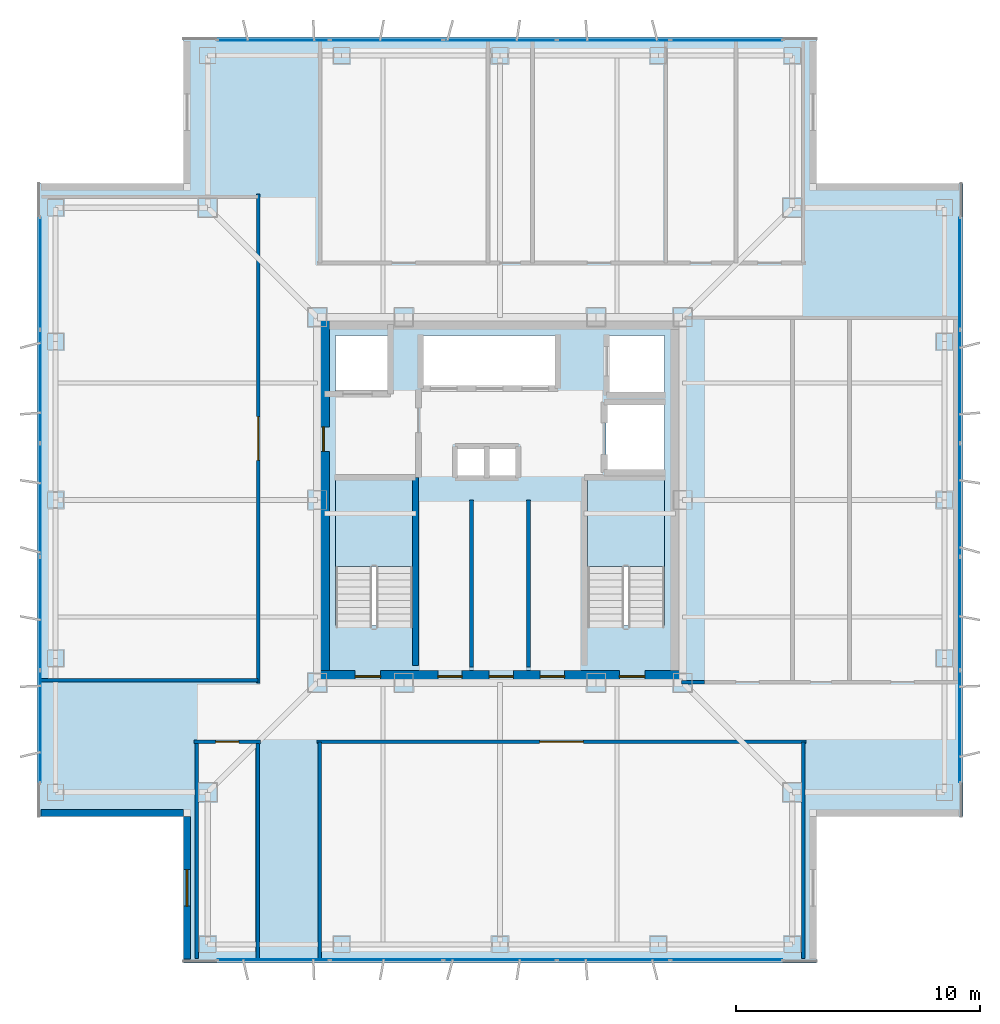
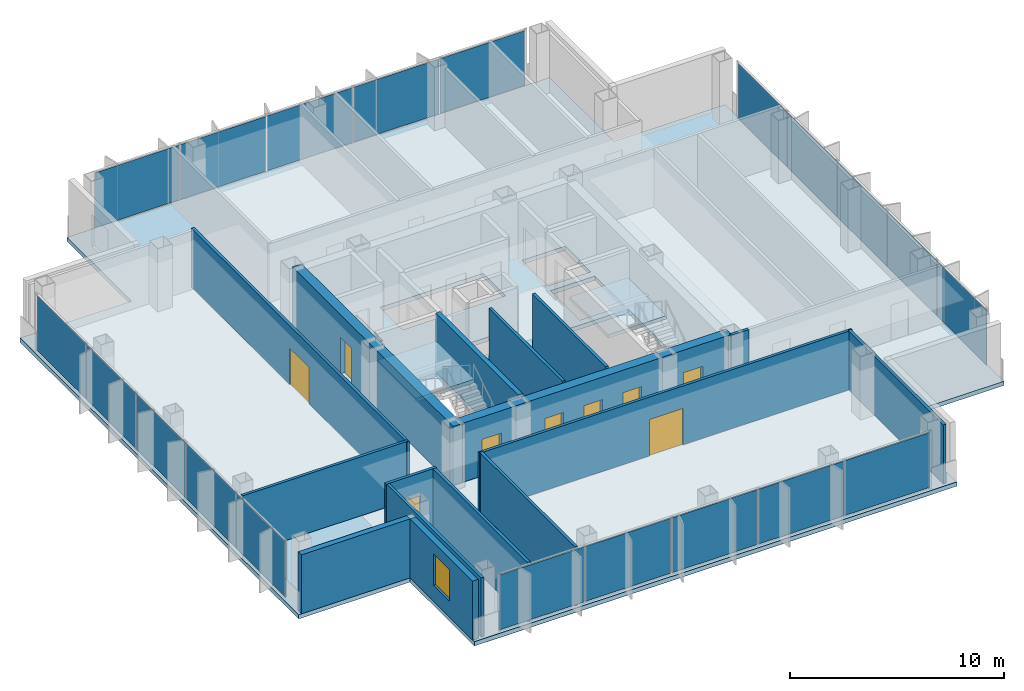
# One storey, part 7 of 15: 20 plates, 16 walls, 9 doors, 3 slabs, 1 window, 10 openings, 6 elements without a shape of their own.
"""IFC4 building model written with IfcOpenShell, lengths in metres."""

import ifcopenshell
import ifcopenshell.guid

model = None  # the IFC model being written
_history = None  # IfcOwnerHistory: only IFC2X3 demands one
_inside = {}  # id of a spatial element -> (the spatial element, [elements in it])
_under = {}  # id of a project, library or spatial element -> (it, [spatial elements below it])
_declared = {}  # id of a project -> (the project, [libraries it declares])
_typed = {}  # id of a type object -> (the type object, [elements of that type])
_made_of = {}  # id of a material, layer set ... -> (it, [elements and type objects made of it])


def new_model(schema):
    """Start an empty IFC model of exactly this schema.

    Asked for "IFC4X3", IfcOpenShell would pick the latest addendum, in which some entities
    have other attributes; the version numbers below select the first issue.
    IFC2X3 requires an IfcOwnerHistory on every rooted entity: one is made here for all.
    """
    global model, _history
    if schema == "IFC4X3":
        model = ifcopenshell.file(schema_version=(4, 3, 0, 0))
    else:
        model = ifcopenshell.file(schema=schema)
    _inside.clear()
    _under.clear()
    _declared.clear()
    _typed.clear()
    _made_of.clear()
    _history = None
    if model.schema == "IFC2X3":
        org = make("IfcOrganization", Name="unknown")
        user = make(
            "IfcPersonAndOrganization",
            ThePerson=make("IfcPerson", FamilyName="unknown"),
            TheOrganization=org,
        )
        app = make(
            "IfcApplication",
            ApplicationDeveloper=org,
            Version="unknown",
            ApplicationFullName="unknown",
            ApplicationIdentifier="unknown",
        )
        _history = make(
            "IfcOwnerHistory",
            OwningUser=user,
            OwningApplication=app,
            ChangeAction="ADDED",
            CreationDate=0,
        )
    return model


def make(cls, **values):
    """One entity of the class cls with the attributes given. An attribute that is None is left unset."""
    return model.create_entity(
        cls, **{name: value for name, value in values.items() if value is not None}
    )


def rooted(cls, **values):
    """An entity with a GlobalId (a new one), such as an element, a storey or a relation."""
    return make(cls, GlobalId=ifcopenshell.guid.new(), OwnerHistory=_history, **values)


def si_unit(unit_type, name, prefix=None):
    """IfcSIUnit, for example si_unit("LENGTHUNIT", "METRE", prefix="MILLI")."""
    return make("IfcSIUnit", UnitType=unit_type, Prefix=prefix, Name=name)


def assignment(units):
    """IfcUnitAssignment: the units of a project."""
    return None if units is None else make("IfcUnitAssignment", Units=units)


def point(xyz):
    """IfcCartesianPoint."""
    return None if xyz is None else make("IfcCartesianPoint", Coordinates=xyz)


def direction(xyz):
    """IfcDirection."""
    return None if xyz is None else make("IfcDirection", DirectionRatios=xyz)


def frame(location, z_axis=None, x_axis=None):
    """IfcAxis2Placement3D, a coordinate frame: its origin and axes. An axis left out is left unset."""
    return make(
        "IfcAxis2Placement3D",
        Location=point(location),
        Axis=direction(z_axis),
        RefDirection=direction(x_axis),
    )


def frame_2d(location, x_axis=None):
    """IfcAxis2Placement2D, a coordinate frame in the plane: its origin and x axis."""
    return make(
        "IfcAxis2Placement2D", Location=point(location), RefDirection=direction(x_axis)
    )


def origin():
    """The frame at (0, 0, 0) with its axes left unset."""
    return frame((0.0, 0.0, 0.0))


def origin_2d():
    """The frame at (0, 0) in the plane with its x axis left unset."""
    return frame_2d((0.0, 0.0))


def place(relative_to, where):
    """IfcLocalPlacement: puts the frame where relative to a parent placement (None: the world)."""
    return make(
        "IfcLocalPlacement", PlacementRelTo=relative_to, RelativePlacement=where
    )


def context(
    kind, dimensions, precision=None, world=None, true_north=None, identifier=None
):
    """IfcGeometricRepresentationContext, for example the 3D "Model" context."""
    return make(
        "IfcGeometricRepresentationContext",
        ContextIdentifier=identifier,
        ContextType=kind,
        CoordinateSpaceDimension=dimensions,
        Precision=precision,
        WorldCoordinateSystem=world,
        TrueNorth=true_north,
    )


def subcontext(parent, identifier, kind, view, scale=None):
    """IfcGeometricRepresentationSubContext, for example "Body" below "Model"."""
    return make(
        "IfcGeometricRepresentationSubContext",
        ContextIdentifier=identifier,
        ContextType=kind,
        ParentContext=parent,
        TargetScale=scale,
        TargetView=view,
    )


def project(units=None, contexts=None):
    """IfcProject with its units and contexts."""
    return rooted(
        "IfcProject",
        Name="project",
        RepresentationContexts=contexts,
        UnitsInContext=assignment(units),
    )


def spatial(cls, under=None, at=None, **own):
    """A site, building, storey or space (cls), placed at a placement, below another one or the project."""
    s = rooted(cls, ObjectPlacement=at, **own)
    if under is not None:
        _under.setdefault(under.id(), (under, []))[1].append(s)
    return s


def polyline(points):
    """IfcPolyline through the points."""
    return make("IfcPolyline", Points=[point(p) for p in points])


def profile(cls, at=None, kind="AREA", **sizes):
    """A parametric profile (cls). Its sizes go by their IFC names, for example OverallWidth=200.0."""
    return make(cls, ProfileType=kind, Position=at, **sizes)


def rectangle(**sizes):
    """IfcRectangleProfileDef."""
    return profile("IfcRectangleProfileDef", **sizes)


def outline(outer, holes=None, kind="AREA"):
    """IfcArbitraryClosedProfileDef: a profile drawn as a closed curve; with holes, ...WithVoids."""
    if holes is None:
        return make("IfcArbitraryClosedProfileDef", ProfileType=kind, OuterCurve=outer)
    return make(
        "IfcArbitraryProfileDefWithVoids",
        ProfileType=kind,
        OuterCurve=outer,
        InnerCurves=holes,
    )


def extrude(swept, where, along, depth):
    """IfcExtrudedAreaSolid: the profile swept, set in the frame where, extruded along a direction by depth."""
    return make(
        "IfcExtrudedAreaSolid",
        SweptArea=swept,
        Position=where,
        ExtrudedDirection=direction(along),
        Depth=depth,
    )


def shape(context_of_items, identifier, shape_type, items):
    """IfcShapeRepresentation: the items that make up one representation, for example the "Body"."""
    return make(
        "IfcShapeRepresentation",
        ContextOfItems=context_of_items,
        RepresentationIdentifier=identifier,
        RepresentationType=shape_type,
        Items=items,
    )


def material(Name=None, Category=None):
    """IfcMaterial."""
    return make("IfcMaterial", Name=Name, Category=Category)


def layer(
    of_material, thickness, ventilated=None, Name=None, Category=None, Priority=None
):
    """IfcMaterialLayer: one layer of a wall or slab, of a material (None: an air gap)."""
    return make(
        "IfcMaterialLayer",
        Material=of_material,
        LayerThickness=thickness,
        IsVentilated=ventilated,
        Name=Name,
        Category=Category,
        Priority=Priority,
    )


def layer_set(layers, Name=None):
    """IfcMaterialLayerSet."""
    return make("IfcMaterialLayerSet", MaterialLayers=layers, LayerSetName=Name)


def made_of(thing, what):
    """Note that an element or type object is made of a material, layer set ...; save() writes the relation."""
    if what is not None:
        _made_of.setdefault(what.id(), (what, []))[1].append(thing)
    return thing


def type_object(cls, material=None, **own):
    """A type object (cls), such as IfcWallType, which elements share."""
    return made_of(rooted(cls, **own), material)


def element(
    cls,
    number,
    at=None,
    inside=None,
    cuts=None,
    type_object=None,
    material=None,
    context=None,
    identifier="Body",
    shape_type=None,
    held_by="IfcProductDefinitionShape",
    body=None,
    shapes=None,
    **own,
):
    """One element of the class cls, such as IfcWall. Its Tag is "e" and its number.

    at: its placement. inside: the storey or other place that contains it. cuts: it is an
    opening in that element (IfcRelVoidsElement). A single representation is given by context,
    identifier, shape_type and body (its items); several are given by shapes. held_by: the class
    of the entity that holds the representations. save() writes the other relations.
    """
    e = rooted(cls, Tag="e%d" % number, ObjectPlacement=at, **own)
    if body is not None:
        shapes = [shape(context, identifier, shape_type, body)]
    if shapes is not None:
        e.Representation = make(held_by, Representations=shapes)
    if inside is not None:
        _inside.setdefault(inside.id(), (inside, []))[1].append(e)
    if cuts is not None:
        rooted(
            "IfcRelVoidsElement", RelatingBuildingElement=cuts, RelatedOpeningElement=e
        )
    if type_object is not None:
        _typed.setdefault(type_object.id(), (type_object, []))[1].append(e)
    return made_of(e, material)


def fill(opening, filler):
    """IfcRelFillsElement: the door or window that sits in an opening."""
    return rooted(
        "IfcRelFillsElement",
        RelatingOpeningElement=opening,
        RelatedBuildingElement=filler,
    )


def aggregate(whole, parts):
    """IfcRelAggregates: a whole, such as a stair, and the parts it consists of."""
    return rooted("IfcRelAggregates", RelatingObject=whole, RelatedObjects=parts)


def save(model, path):
    """Write the relations noted so far, then the file.

    IfcRelAggregates (storeys below a building ...), IfcRelContainedInSpatialStructure (elements
    in a storey), IfcRelDefinesByType, IfcRelAssociatesMaterial and IfcRelDeclares: one each for
    every whole, place, type object, material and project.
    """
    for whole, parts in _under.values():
        aggregate(whole, parts)
    for where, things in _inside.values():
        rooted(
            "IfcRelContainedInSpatialStructure",
            RelatedElements=things,
            RelatingStructure=where,
        )
    for kind, things in _typed.values():
        rooted("IfcRelDefinesByType", RelatedObjects=things, RelatingType=kind)
    for what, things in _made_of.values():
        rooted("IfcRelAssociatesMaterial", RelatedObjects=things, RelatingMaterial=what)
    for by, libraries in _declared.values():
        rooted("IfcRelDeclares", RelatingContext=by, RelatedDefinitions=libraries)
    model.write(path)


model = new_model("IFC4")

# Units and contexts
model_context = context("Model", 3, precision=1e-05, world=origin(), true_north=direction((0.0, 1.0)))
body_context = subcontext(model_context, "Body", "Model", "MODEL_VIEW")
ifc_project = project(units=[si_unit("LENGTHUNIT", "METRE"), si_unit("AREAUNIT", "SQUARE_METRE"), si_unit("VOLUMEUNIT", "CUBIC_METRE"), si_unit("PLANEANGLEUNIT", "RADIAN"), si_unit("MASSUNIT", "GRAM", prefix="KILO")], contexts=[model_context])

# Site, building, storey
site_placement = place(None, origin())
site = spatial("IfcSite", under=ifc_project, at=site_placement, CompositionType="ELEMENT")
building_placement = place(site_placement, origin())
building = spatial("IfcBuilding", under=site, at=building_placement, Name="Trevonay Congress Spire", CompositionType="ELEMENT")
storey_placement = place(building_placement, frame((0.0, 0.0, 250.39990234375)))
storey = spatial("IfcBuildingStorey", under=building, at=storey_placement, Name="L65", CompositionType="ELEMENT", Elevation=250.39990234375)

# Curtain wall, plates
ifc_material_1 = material(Name="Pale Anodised Aluminium EN AW-6063-T6", Category="aluminium")
ifc_layer_1 = layer(ifc_material_1, 0.1650390625, Name="Pale Anodised Aluminium EN AW-6063-T6")
ifc_layer_set_1 = layer_set([ifc_layer_1], Name="Pale Anodised Aluminium EN AW-6063-T6")
curtain_wall_type = type_object("IfcCurtainWallType", Name="CW-SYS05-DIPLOM-PALE-METAL", PredefinedType="NOTDEFINED", material=ifc_layer_set_1)
curtain_wall_1_placement = place(storey_placement, origin())
curtain_wall_1 = element("IfcCurtainWall", 1, at=curtain_wall_1_placement, inside=storey, type_object=curtain_wall_type, Name="L65 S unitised curtain wall", PredefinedType="NOTDEFINED")
ifc_material_2 = material(Name="Insulated Low-E Vision Glass IGU", Category="glass")
ifc_layer_2 = layer(ifc_material_2, 0.035888671875, Name="Insulated Low-E Vision Glass IGU")
ifc_layer_set_2 = layer_set([ifc_layer_2], Name="Insulated Low-E Vision Glass IGU")
plate_type = type_object("IfcPlateType", Name="CW-PANEL-IGU36-SILVER", PredefinedType="CURTAIN_PANEL", material=ifc_layer_set_2)
plate_1_placement = place(storey_placement, frame((-9.304931640625, -18.8798828125, 0.1201171875), z_axis=(0.0, 0.0, 1.0), x_axis=(1.0, 0.0, 0.0)))
plate_1 = element("IfcPlate", 2, at=plate_1_placement, type_object=plate_type, Name="CW05 panel 1.1", PredefinedType="CURTAIN_PANEL", context=body_context, shape_type="SweptSolid", body=[
    extrude(rectangle(XDim=4.570068359375, YDim=0.035888671875, at=origin_2d()), origin(), (0.0, 0.0, 1.0), 3.1201171875),
])
plate_2_placement = place(storey_placement, frame((-4.659912109375, -18.8798828125, 0.1201171875), z_axis=(0.0, 0.0, 1.0), x_axis=(1.0, 0.0, 0.0)))
plate_2 = element("IfcPlate", 3, at=plate_2_placement, type_object=plate_type, Name="CW05 panel 2.1", PredefinedType="CURTAIN_PANEL", context=body_context, shape_type="SweptSolid", body=[
    extrude(rectangle(XDim=4.60009765625, YDim=0.035888671875, at=origin_2d()), origin(), (0.0, 0.0, 1.0), 3.1201171875),
])
plate_3_placement = place(storey_placement, frame((0.0, -18.8798828125, 0.1201171875), z_axis=(0.0, 0.0, 1.0), x_axis=(1.0, 0.0, 0.0)))
plate_3 = element("IfcPlate", 4, at=plate_3_placement, type_object=plate_type, Name="CW05 panel 3.1", PredefinedType="CURTAIN_PANEL", context=body_context, shape_type="SweptSolid", body=[
    extrude(rectangle(XDim=4.60009765625, YDim=0.035888671875, at=origin_2d()), origin(), (0.0, 0.0, 1.0), 3.1201171875),
])
plate_4_placement = place(storey_placement, frame((4.659912109375, -18.8798828125, 0.1201171875), z_axis=(0.0, 0.0, 1.0), x_axis=(1.0, 0.0, 0.0)))
plate_4 = element("IfcPlate", 5, at=plate_4_placement, type_object=plate_type, Name="CW05 panel 4.1", PredefinedType="CURTAIN_PANEL", context=body_context, shape_type="SweptSolid", body=[
    extrude(rectangle(XDim=4.60009765625, YDim=0.035888671875, at=origin_2d()), origin(), (0.0, 0.0, 1.0), 3.1201171875),
])
plate_5_placement = place(storey_placement, frame((9.304931640625, -18.8798828125, 0.1201171875), z_axis=(0.0, 0.0, 1.0), x_axis=(1.0, 0.0, 0.0)))
plate_5 = element("IfcPlate", 6, at=plate_5_placement, type_object=plate_type, Name="CW05 panel 5.1", PredefinedType="CURTAIN_PANEL", context=body_context, shape_type="SweptSolid", body=[
    extrude(rectangle(XDim=4.570068359375, YDim=0.035888671875, at=origin_2d()), origin(), (0.0, 0.0, 1.0), 3.1201171875),
])
aggregate(curtain_wall_1, [plate_1, plate_2, plate_3, plate_4, plate_5])

curtain_wall_2_placement = place(storey_placement, origin())
curtain_wall_2 = element("IfcCurtainWall", 7, at=curtain_wall_2_placement, inside=storey, type_object=curtain_wall_type, Name="L65 N unitised curtain wall", PredefinedType="NOTDEFINED")
plate_6_placement = place(storey_placement, frame((-9.304931640625, 18.8798828125, 0.1201171875), z_axis=(0.0, 0.0, 1.0), x_axis=(1.0, 0.0, 0.0)))
plate_6 = element("IfcPlate", 8, at=plate_6_placement, type_object=plate_type, Name="CW05 panel 1.1", PredefinedType="CURTAIN_PANEL", context=body_context, shape_type="SweptSolid", body=[
    extrude(rectangle(XDim=4.570068359375, YDim=0.035888671875, at=origin_2d()), origin(), (0.0, 0.0, 1.0), 3.1201171875),
])
plate_7_placement = place(storey_placement, frame((-4.659912109375, 18.8798828125, 0.1201171875), z_axis=(0.0, 0.0, 1.0), x_axis=(1.0, 0.0, 0.0)))
plate_7 = element("IfcPlate", 9, at=plate_7_placement, type_object=plate_type, Name="CW05 panel 2.1", PredefinedType="CURTAIN_PANEL", context=body_context, shape_type="SweptSolid", body=[
    extrude(rectangle(XDim=4.60009765625, YDim=0.035888671875, at=origin_2d()), origin(), (0.0, 0.0, 1.0), 3.1201171875),
])
plate_8_placement = place(storey_placement, frame((0.0, 18.8798828125, 0.1201171875), z_axis=(0.0, 0.0, 1.0), x_axis=(1.0, 0.0, 0.0)))
plate_8 = element("IfcPlate", 10, at=plate_8_placement, type_object=plate_type, Name="CW05 panel 3.1", PredefinedType="CURTAIN_PANEL", context=body_context, shape_type="SweptSolid", body=[
    extrude(rectangle(XDim=4.60009765625, YDim=0.035888671875, at=origin_2d()), origin(), (0.0, 0.0, 1.0), 3.1201171875),
])
plate_9_placement = place(storey_placement, frame((4.659912109375, 18.8798828125, 0.1201171875), z_axis=(0.0, 0.0, 1.0), x_axis=(1.0, 0.0, 0.0)))
plate_9 = element("IfcPlate", 11, at=plate_9_placement, type_object=plate_type, Name="CW05 panel 4.1", PredefinedType="CURTAIN_PANEL", context=body_context, shape_type="SweptSolid", body=[
    extrude(rectangle(XDim=4.60009765625, YDim=0.035888671875, at=origin_2d()), origin(), (0.0, 0.0, 1.0), 3.1201171875),
])
plate_10_placement = place(storey_placement, frame((9.304931640625, 18.8798828125, 0.1201171875), z_axis=(0.0, 0.0, 1.0), x_axis=(1.0, 0.0, 0.0)))
plate_10 = element("IfcPlate", 12, at=plate_10_placement, type_object=plate_type, Name="CW05 panel 5.1", PredefinedType="CURTAIN_PANEL", context=body_context, shape_type="SweptSolid", body=[
    extrude(rectangle(XDim=4.570068359375, YDim=0.035888671875, at=origin_2d()), origin(), (0.0, 0.0, 1.0), 3.1201171875),
])
aggregate(curtain_wall_2, [plate_6, plate_7, plate_8, plate_9, plate_10])

curtain_wall_3_placement = place(storey_placement, origin())
curtain_wall_3 = element("IfcCurtainWall", 13, at=curtain_wall_3_placement, inside=storey, type_object=curtain_wall_type, Name="L65 W unitised curtain wall", PredefinedType="NOTDEFINED")
plate_11_placement = place(storey_placement, frame((-18.8798828125, -9.304931640625, 0.1201171875), z_axis=(0.0, 0.0, 1.0), x_axis=(0.0, 1.0, 0.0)))
plate_11 = element("IfcPlate", 14, at=plate_11_placement, type_object=plate_type, Name="CW05 panel 1.1", PredefinedType="CURTAIN_PANEL", context=body_context, shape_type="SweptSolid", body=[
    extrude(rectangle(XDim=4.570068359375, YDim=0.035888671875, at=origin_2d()), origin(), (0.0, 0.0, 1.0), 3.1201171875),
])
plate_12_placement = place(storey_placement, frame((-18.8798828125, -4.659912109375, 0.1201171875), z_axis=(0.0, 0.0, 1.0), x_axis=(0.0, 1.0, 0.0)))
plate_12 = element("IfcPlate", 15, at=plate_12_placement, type_object=plate_type, Name="CW05 panel 2.1", PredefinedType="CURTAIN_PANEL", context=body_context, shape_type="SweptSolid", body=[
    extrude(rectangle(XDim=4.60009765625, YDim=0.035888671875, at=origin_2d()), origin(), (0.0, 0.0, 1.0), 3.1201171875),
])
plate_13_placement = place(storey_placement, frame((-18.8798828125, 0.0, 0.1201171875), z_axis=(0.0, 0.0, 1.0), x_axis=(0.0, 1.0, 0.0)))
plate_13 = element("IfcPlate", 16, at=plate_13_placement, type_object=plate_type, Name="CW05 panel 3.1", PredefinedType="CURTAIN_PANEL", context=body_context, shape_type="SweptSolid", body=[
    extrude(rectangle(XDim=4.60009765625, YDim=0.035888671875, at=origin_2d()), origin(), (0.0, 0.0, 1.0), 3.1201171875),
])
plate_14_placement = place(storey_placement, frame((-18.8798828125, 4.659912109375, 0.1201171875), z_axis=(0.0, 0.0, 1.0), x_axis=(0.0, 1.0, 0.0)))
plate_14 = element("IfcPlate", 17, at=plate_14_placement, type_object=plate_type, Name="CW05 panel 4.1", PredefinedType="CURTAIN_PANEL", context=body_context, shape_type="SweptSolid", body=[
    extrude(rectangle(XDim=4.60009765625, YDim=0.035888671875, at=origin_2d()), origin(), (0.0, 0.0, 1.0), 3.1201171875),
])
plate_15_placement = place(storey_placement, frame((-18.8798828125, 9.304931640625, 0.1201171875), z_axis=(0.0, 0.0, 1.0), x_axis=(0.0, 1.0, 0.0)))
plate_15 = element("IfcPlate", 18, at=plate_15_placement, type_object=plate_type, Name="CW05 panel 5.1", PredefinedType="CURTAIN_PANEL", context=body_context, shape_type="SweptSolid", body=[
    extrude(rectangle(XDim=4.570068359375, YDim=0.035888671875, at=origin_2d()), origin(), (0.0, 0.0, 1.0), 3.1201171875),
])
aggregate(curtain_wall_3, [plate_11, plate_12, plate_13, plate_14, plate_15])

curtain_wall_4_placement = place(storey_placement, origin())
curtain_wall_4 = element("IfcCurtainWall", 19, at=curtain_wall_4_placement, inside=storey, type_object=curtain_wall_type, Name="L65 E unitised curtain wall", PredefinedType="NOTDEFINED")
plate_16_placement = place(storey_placement, frame((18.8798828125, -9.304931640625, 0.1201171875), z_axis=(0.0, 0.0, 1.0), x_axis=(0.0, 1.0, 0.0)))
plate_16 = element("IfcPlate", 20, at=plate_16_placement, type_object=plate_type, Name="CW05 panel 1.1", PredefinedType="CURTAIN_PANEL", context=body_context, shape_type="SweptSolid", body=[
    extrude(rectangle(XDim=4.570068359375, YDim=0.035888671875, at=origin_2d()), origin(), (0.0, 0.0, 1.0), 3.1201171875),
])
plate_17_placement = place(storey_placement, frame((18.8798828125, -4.659912109375, 0.1201171875), z_axis=(0.0, 0.0, 1.0), x_axis=(0.0, 1.0, 0.0)))
plate_17 = element("IfcPlate", 21, at=plate_17_placement, type_object=plate_type, Name="CW05 panel 2.1", PredefinedType="CURTAIN_PANEL", context=body_context, shape_type="SweptSolid", body=[
    extrude(rectangle(XDim=4.60009765625, YDim=0.035888671875, at=origin_2d()), origin(), (0.0, 0.0, 1.0), 3.1201171875),
])
plate_18_placement = place(storey_placement, frame((18.8798828125, 0.0, 0.1201171875), z_axis=(0.0, 0.0, 1.0), x_axis=(0.0, 1.0, 0.0)))
plate_18 = element("IfcPlate", 22, at=plate_18_placement, type_object=plate_type, Name="CW05 panel 3.1", PredefinedType="CURTAIN_PANEL", context=body_context, shape_type="SweptSolid", body=[
    extrude(rectangle(XDim=4.60009765625, YDim=0.035888671875, at=origin_2d()), origin(), (0.0, 0.0, 1.0), 3.1201171875),
])
plate_19_placement = place(storey_placement, frame((18.8798828125, 4.659912109375, 0.1201171875), z_axis=(0.0, 0.0, 1.0), x_axis=(0.0, 1.0, 0.0)))
plate_19 = element("IfcPlate", 23, at=plate_19_placement, type_object=plate_type, Name="CW05 panel 4.1", PredefinedType="CURTAIN_PANEL", context=body_context, shape_type="SweptSolid", body=[
    extrude(rectangle(XDim=4.60009765625, YDim=0.035888671875, at=origin_2d()), origin(), (0.0, 0.0, 1.0), 3.1201171875),
])
plate_20_placement = place(storey_placement, frame((18.8798828125, 9.304931640625, 0.1201171875), z_axis=(0.0, 0.0, 1.0), x_axis=(0.0, 1.0, 0.0)))
plate_20 = element("IfcPlate", 24, at=plate_20_placement, type_object=plate_type, Name="CW05 panel 5.1", PredefinedType="CURTAIN_PANEL", context=body_context, shape_type="SweptSolid", body=[
    extrude(rectangle(XDim=4.570068359375, YDim=0.035888671875, at=origin_2d()), origin(), (0.0, 0.0, 1.0), 3.1201171875),
])
aggregate(curtain_wall_4, [plate_16, plate_17, plate_18, plate_19, plate_20])

# Stair, slab
ifc_material_3 = material(Name="Concrete C40/50", Category="concrete")
stair_type_1 = type_object("IfcStairType", Name="STR-ST-1", PredefinedType="HALF_TURN_STAIR", material=ifc_material_3)
stair_1_placement = place(storey_placement, origin())
stair_1 = element("IfcStair", 25, at=stair_1_placement, inside=storey, type_object=stair_type_1, Name="L65 Protected Exit Stair ST-1", PredefinedType="HALF_TURN_STAIR")
ifc_layer_3 = layer(ifc_material_3, 0.199951171875, Name="Concrete C40/50")
ifc_layer_set_3 = layer_set([ifc_layer_3], Name="Concrete C40/50")
slab_type_1 = type_object("IfcSlabType", Name="SLB-STAIR-LAND-200", PredefinedType="LANDING", material=ifc_layer_set_3)
slab_1_placement = place(storey_placement, frame((0.0, 0.0, 1.60009765625)))
slab_1 = element("IfcSlab", 26, at=slab_1_placement, type_object=slab_type_1, Name="ST-1 landing 1", PredefinedType="LANDING", context=body_context, shape_type="SweptSolid", body=[
    extrude(outline(polyline([(-3.60009765625, -2.72998046875), (-3.60009765625, 0.85009765625), (-6.75, 0.85009765625), (-6.75, -2.72998046875), (-3.60009765625, -2.72998046875)])), origin(), (0.0, 0.0, 1.0), 0.199951171875),
])
aggregate(stair_1, [slab_1])

stair_type_2 = type_object("IfcStairType", Name="STR-ST-2", PredefinedType="HALF_TURN_STAIR", material=ifc_material_3)
stair_2_placement = place(storey_placement, origin())
stair_2 = element("IfcStair", 27, at=stair_2_placement, inside=storey, type_object=stair_type_2, Name="L65 Protected Exit Stair ST-2", PredefinedType="HALF_TURN_STAIR")
slab_2_placement = place(storey_placement, frame((0.0, 0.0, 1.60009765625)))
slab_2 = element("IfcSlab", 28, at=slab_2_placement, type_object=slab_type_1, Name="ST-2 landing 1", PredefinedType="LANDING", context=body_context, shape_type="SweptSolid", body=[
    extrude(outline(polyline([(6.75, -2.72998046875), (6.75, 0.85009765625), (3.60009765625, 0.85009765625), (3.60009765625, -2.72998046875), (6.75, -2.72998046875)])), origin(), (0.0, 0.0, 1.0), 0.199951171875),
])
aggregate(stair_2, [slab_2])

# Slab
ifc_layer_4 = layer(ifc_material_3, 0.239990234375, Name="Concrete C40/50")
ifc_layer_set_4 = layer_set([ifc_layer_4], Name="Concrete C40/50")
slab_type_2 = type_object("IfcSlabType", Name="SLB-TOW2-240", PredefinedType="FLOOR", material=ifc_layer_set_4)
slab_3_placement = place(storey_placement, frame((0.0, 0.0, -0.239990234375)))
element("IfcSlab", 29, at=slab_3_placement, inside=storey, type_object=slab_type_2, Name="L65 structural floor slab", PredefinedType="FLOOR", context=body_context, shape_type="SweptSolid", body=[
    extrude(outline(polyline([(-13.0, -19.0), (13.0, -19.0), (13.0, -13.0), (19.0, -13.0), (19.0, 13.0), (13.0, 13.0), (13.0, 19.0), (-13.0, 19.0), (-13.0, 13.0), (-19.0, 13.0), (-19.0, -13.0), (-13.0, -13.0), (-13.0, -19.0)]), holes=[polyline([(-3.60009765625, -5.14990234375), (-3.60009765625, 0.85009765625), (-6.75, 0.85009765625), (-6.75, -5.14990234375), (-3.60009765625, -5.14990234375)]), polyline([(6.75, -5.14990234375), (6.75, 0.85009765625), (3.60009765625, 0.85009765625), (3.60009765625, -5.14990234375), (6.75, -5.14990234375)]), polyline([(-3.199951171875, 4.64990234375), (2.340087890625, 4.64990234375), (2.340087890625, 6.75), (-3.199951171875, 6.75), (-3.199951171875, 4.64990234375)]), polyline([(-6.75, 4.35009765625), (-4.449951171875, 4.35009765625), (-4.449951171875, 6.75), (-6.75, 6.75), (-6.75, 4.35009765625)]), polyline([(4.449951171875, 4.35009765625), (6.75, 4.35009765625), (6.75, 6.75), (4.449951171875, 6.75), (4.449951171875, 4.35009765625)]), polyline([(4.35009765625, 1.199951171875), (6.75, 1.199951171875), (6.75, 3.949951171875), (4.35009765625, 3.949951171875), (4.35009765625, 1.199951171875)]), polyline([(-1.800048828125, 0.949951171875), (0.699951171875, 0.949951171875), (0.699951171875, 2.14990234375), (-1.800048828125, 2.14990234375), (-1.800048828125, 0.949951171875)])]), origin(), (0.0, 0.0, 1.0), 0.239990234375),
])

# Wall, openings, doors
ifc_material_4 = material(Name="Concrete C50/60", Category="concrete")
ifc_layer_5 = layer(ifc_material_4, 0.5, Name="Concrete C50/60")
ifc_layer_set_5 = layer_set([ifc_layer_5], Name="Concrete C50/60")
wall_type_1 = type_object("IfcWallType", Name="WAL-CORE-500", PredefinedType="SHEAR", material=ifc_layer_set_5)
wall_1_placement = place(storey_placement, frame((-7.5, -7.25, 0.0), z_axis=(0.0, 0.0, 1.0), x_axis=(1.0, 0.0, 0.0)))
wall_1 = element("IfcWall", 30, at=wall_1_placement, inside=storey, type_object=wall_type_1, Name="L65 South structural core shear wall", PredefinedType="SHEAR", context=body_context, shape_type="SweptSolid", body=[
    extrude(rectangle(XDim=15.0, YDim=0.5, at=frame_2d((7.5, 0.0))), origin(), (0.0, 0.0, 1.0), 3.360107421875),
])
opening_1_placement = place(wall_1_placement, frame((1.550048828125, 0.0, 0.0)))
opening_1 = element("IfcOpeningElement", 31, at=opening_1_placement, cuts=wall_1, Name="Opening D05", PredefinedType="OPENING", context=body_context, shape_type="SweptSolid", body=[
    extrude(rectangle(XDim=1.050048828125, YDim=2.080078125, at=frame_2d((0.52490234375, 1.0400390625))), frame((0.0, 0.260009765625, 0.0), z_axis=(0.0, -1.0, 0.0), x_axis=(1.0, 0.0, 0.0)), (0.0, 0.0, 1.0), 0.52001953125),
])
opening_2_placement = place(wall_1_placement, frame((12.39990234375, 0.0, 0.0)))
opening_2 = element("IfcOpeningElement", 32, at=opening_2_placement, cuts=wall_1, Name="Opening D05", PredefinedType="OPENING", context=body_context, shape_type="SweptSolid", body=[
    extrude(rectangle(XDim=1.050048828125, YDim=2.080078125, at=frame_2d((0.52490234375, 1.0400390625))), frame((0.0, 0.260009765625, 0.0), z_axis=(0.0, -1.0, 0.0), x_axis=(1.0, 0.0, 0.0)), (0.0, 0.0, 1.0), 0.52001953125),
])
opening_3_placement = place(wall_1_placement, frame((4.949951171875, 0.0, 0.0)))
opening_3 = element("IfcOpeningElement", 33, at=opening_3_placement, cuts=wall_1, Name="Opening D06", PredefinedType="OPENING", context=body_context, shape_type="SweptSolid", body=[
    extrude(rectangle(XDim=1.0, YDim=2.080078125, at=frame_2d((0.5, 1.0400390625))), frame((0.0, 0.260009765625, 0.0), z_axis=(0.0, -1.0, 0.0), x_axis=(1.0, 0.0, 0.0)), (0.0, 0.0, 1.0), 0.52001953125),
])
opening_4_placement = place(wall_1_placement, frame((7.050048828125, 0.0, 0.0)))
opening_4 = element("IfcOpeningElement", 34, at=opening_4_placement, cuts=wall_1, Name="Opening D06", PredefinedType="OPENING", context=body_context, shape_type="SweptSolid", body=[
    extrude(rectangle(XDim=1.0, YDim=2.080078125, at=frame_2d((0.5, 1.0400390625))), frame((0.0, 0.260009765625, 0.0), z_axis=(0.0, -1.0, 0.0), x_axis=(1.0, 0.0, 0.0)), (0.0, 0.0, 1.0), 0.52001953125),
])
opening_5_placement = place(wall_1_placement, frame((9.14990234375, 0.0, 0.0)))
opening_5 = element("IfcOpeningElement", 35, at=opening_5_placement, cuts=wall_1, Name="Opening D06", PredefinedType="OPENING", context=body_context, shape_type="SweptSolid", body=[
    extrude(rectangle(XDim=1.0, YDim=2.080078125, at=frame_2d((0.5, 1.0400390625))), frame((0.0, 0.260009765625, 0.0), z_axis=(0.0, -1.0, 0.0), x_axis=(1.0, 0.0, 0.0)), (0.0, 0.0, 1.0), 0.52001953125),
])
ifc_material_5 = material(Name="Steel ASTM A572 Grade 50", Category="steel")
door_type_1 = type_object("IfcDoorType", Name="DOR-FIRE-100", OperationType="NOTDEFINED", PredefinedType="DOOR", material=ifc_material_5)
door_1_placement = place(opening_3_placement, origin())
door_1 = element("IfcDoor", 36, at=door_1_placement, inside=storey, type_object=door_type_1, Name="L65 South Core Room 1 Door", OperationType="SINGLE_SWING_RIGHT", OverallHeight=2.080078125, OverallWidth=1.0, PredefinedType="DOOR", context=body_context, shape_type="SweptSolid", body=[
    extrude(rectangle(XDim=1.0, YDim=2.080078125, at=frame_2d((0.5, 1.0400390625))), frame((0.0, 0.02490234375, 0.0), z_axis=(0.0, -1.0, 0.0), x_axis=(1.0, 0.0, 0.0)), (0.0, 0.0, 1.0), 0.050048828125),
])
fill(opening_3, door_1)
door_2_placement = place(opening_4_placement, origin())
door_2 = element("IfcDoor", 37, at=door_2_placement, inside=storey, type_object=door_type_1, Name="L65 South Core Room 2 Door", OperationType="SINGLE_SWING_LEFT", OverallHeight=2.080078125, OverallWidth=1.0, PredefinedType="DOOR", context=body_context, shape_type="SweptSolid", body=[
    extrude(rectangle(XDim=1.0, YDim=2.080078125, at=frame_2d((0.5, 1.0400390625))), frame((0.0, 0.02490234375, 0.0), z_axis=(0.0, -1.0, 0.0), x_axis=(1.0, 0.0, 0.0)), (0.0, 0.0, 1.0), 0.050048828125),
])
fill(opening_4, door_2)
door_3_placement = place(opening_5_placement, origin())
door_3 = element("IfcDoor", 38, at=door_3_placement, inside=storey, type_object=door_type_1, Name="L65 South Core Room 3 Door", OperationType="SINGLE_SWING_RIGHT", OverallHeight=2.080078125, OverallWidth=1.0, PredefinedType="DOOR", context=body_context, shape_type="SweptSolid", body=[
    extrude(rectangle(XDim=1.0, YDim=2.080078125, at=frame_2d((0.5, 1.0400390625))), frame((0.0, 0.02490234375, 0.0), z_axis=(0.0, -1.0, 0.0), x_axis=(1.0, 0.0, 0.0)), (0.0, 0.0, 1.0), 0.050048828125),
])
fill(opening_5, door_3)
door_type_2 = type_object("IfcDoorType", Name="DOR-STAIR-110", OperationType="NOTDEFINED", PredefinedType="DOOR", material=ifc_material_5)
door_4_placement = place(opening_1_placement, origin())
door_4 = element("IfcDoor", 39, at=door_4_placement, inside=storey, type_object=door_type_2, Name="L65 Protected Stair ST-1 Door", OperationType="SINGLE_SWING_LEFT", OverallHeight=2.080078125, OverallWidth=1.050048828125, PredefinedType="DOOR", context=body_context, shape_type="SweptSolid", body=[
    extrude(rectangle(XDim=1.050048828125, YDim=2.080078125, at=frame_2d((0.52490234375, 1.0400390625))), frame((0.0, 0.02490234375, 0.0), z_axis=(0.0, -1.0, 0.0), x_axis=(1.0, 0.0, 0.0)), (0.0, 0.0, 1.0), 0.050048828125),
])
fill(opening_1, door_4)
door_5_placement = place(opening_2_placement, origin())
door_5 = element("IfcDoor", 40, at=door_5_placement, inside=storey, type_object=door_type_2, Name="L65 Protected Stair ST-2 Door", OperationType="SINGLE_SWING_RIGHT", OverallHeight=2.080078125, OverallWidth=1.050048828125, PredefinedType="DOOR", context=body_context, shape_type="SweptSolid", body=[
    extrude(rectangle(XDim=1.050048828125, YDim=2.080078125, at=frame_2d((0.52490234375, 1.0400390625))), frame((0.0, 0.02490234375, 0.0), z_axis=(0.0, -1.0, 0.0), x_axis=(1.0, 0.0, 0.0)), (0.0, 0.0, 1.0), 0.050048828125),
])
fill(opening_2, door_5)

# Wall, opening, door
wall_2_placement = place(storey_placement, frame((-7.25, -7.5, 0.0), z_axis=(0.0, 0.0, 1.0), x_axis=(0.0, 1.0, 0.0)))
wall_2 = element("IfcWall", 41, at=wall_2_placement, inside=storey, type_object=wall_type_1, Name="L65 West structural core shear wall", PredefinedType="SHEAR", context=body_context, shape_type="SweptSolid", body=[
    extrude(rectangle(XDim=15.0, YDim=0.5, at=frame_2d((7.5, 0.0))), origin(), (0.0, 0.0, 1.0), 3.360107421875),
])
opening_6_placement = place(wall_2_placement, frame((9.5, 0.0, 0.0)))
opening_6 = element("IfcOpeningElement", 42, at=opening_6_placement, cuts=wall_2, Name="Opening D06", PredefinedType="OPENING", context=body_context, shape_type="SweptSolid", body=[
    extrude(rectangle(XDim=1.0, YDim=2.080078125, at=frame_2d((0.5, 1.0400390625))), frame((0.0, 0.260009765625, 0.0), z_axis=(0.0, -1.0, 0.0), x_axis=(1.0, 0.0, 0.0)), (0.0, 0.0, 1.0), 0.52001953125),
])
door_6_placement = place(opening_6_placement, origin())
door_6 = element("IfcDoor", 43, at=door_6_placement, inside=storey, type_object=door_type_1, Name="L65 Firefighting Lift Lobby West Corridor Door", OperationType="SINGLE_SWING_LEFT", OverallHeight=2.080078125, OverallWidth=1.0, PredefinedType="DOOR", context=body_context, shape_type="SweptSolid", body=[
    extrude(rectangle(XDim=1.0, YDim=2.080078125, at=frame_2d((0.5, 1.0400390625))), frame((0.0, 0.02490234375, 0.0), z_axis=(0.0, -1.0, 0.0), x_axis=(1.0, 0.0, 0.0)), (0.0, 0.0, 1.0), 0.050048828125),
])
fill(opening_6, door_6)

ifc_layer_6 = layer(ifc_material_3, 0.14990234375, Name="Concrete C40/50")
ifc_layer_set_6 = layer_set([ifc_layer_6], Name="Concrete C40/50")
wall_type_2 = type_object("IfcWallType", Name="WAL-CORR-150", PredefinedType="PARTITIONING", material=ifc_layer_set_6)
wall_3_placement = place(storey_placement, frame((-12.570068359375, -9.929931640625, 0.0), z_axis=(0.0, 0.0, 1.0), x_axis=(1.0, 0.0, 0.0)))
wall_3 = element("IfcWall", 44, at=wall_3_placement, inside=storey, type_object=wall_type_2, Name="L65 interior wall WP-L65SW-COR", PredefinedType="PARTITIONING", context=body_context, shape_type="SweptSolid", body=[
    extrude(rectangle(XDim=2.739990234375, YDim=0.14990234375, at=frame_2d((1.3701171875, 0.0))), origin(), (0.0, 0.0, 1.0), 3.360107421875),
])
opening_7_placement = place(wall_3_placement, frame((0.89501953125, 0.0, 0.0)))
opening_7 = element("IfcOpeningElement", 45, at=opening_7_placement, cuts=wall_3, Name="Opening D07", PredefinedType="OPENING", context=body_context, shape_type="SweptSolid", body=[
    extrude(rectangle(XDim=0.949951171875, YDim=2.06005859375, at=frame_2d((0.47509765625, 1.030029296875))), frame((0.0, 0.0849609375, 0.0), z_axis=(0.0, -1.0, 0.0), x_axis=(1.0, 0.0, 0.0)), (0.0, 0.0, 1.0), 0.169921875),
])
door_type_3 = type_object("IfcDoorType", Name="DOR-OFFICE-95", OperationType="NOTDEFINED", PredefinedType="DOOR", material=ifc_material_1)
door_7_placement = place(opening_7_placement, origin())
door_7 = element("IfcDoor", 46, at=door_7_placement, inside=storey, type_object=door_type_3, Name="L65 Secretary-General Green Room Door", OperationType="SINGLE_SWING_RIGHT", OverallHeight=2.06005859375, OverallWidth=0.949951171875, PredefinedType="DOOR", context=body_context, shape_type="SweptSolid", body=[
    extrude(rectangle(XDim=0.949951171875, YDim=2.06005859375, at=frame_2d((0.47509765625, 1.030029296875))), frame((0.0, 0.02490234375, 0.0), z_axis=(0.0, -1.0, 0.0), x_axis=(1.0, 0.0, 0.0)), (0.0, 0.0, 1.0), 0.050048828125),
])
fill(opening_7, door_7)

wall_4_placement = place(storey_placement, frame((-7.52001953125, -9.929931640625, 0.0), z_axis=(0.0, 0.0, 1.0), x_axis=(1.0, 0.0, 0.0)))
wall_4 = element("IfcWall", 47, at=wall_4_placement, inside=storey, type_object=wall_type_2, Name="L65 interior wall WP-L65SE-COR", PredefinedType="PARTITIONING", context=body_context, shape_type="SweptSolid", body=[
    extrude(rectangle(XDim=20.090087890625, YDim=0.14990234375, at=frame_2d((10.044921875, 0.0))), origin(), (0.0, 0.0, 1.0), 3.360107421875),
])
opening_8_placement = place(wall_4_placement, frame((9.14501953125, 0.0, 0.0)))
opening_8 = element("IfcOpeningElement", 48, at=opening_8_placement, cuts=wall_4, Name="Opening D09", PredefinedType="OPENING", context=body_context, shape_type="SweptSolid", body=[
    extrude(rectangle(XDim=1.800048828125, YDim=2.080078125, at=frame_2d((0.89990234375, 1.0400390625))), frame((0.0, 0.0849609375, 0.0), z_axis=(0.0, -1.0, 0.0), x_axis=(1.0, 0.0, 0.0)), (0.0, 0.0, 1.0), 0.169921875),
])
door_type_4 = type_object("IfcDoorType", Name="DOR-CONF-DBL", OperationType="DOUBLE_DOOR_SINGLE_SWING", PredefinedType="DOOR", material=ifc_material_1)
door_8_placement = place(opening_8_placement, origin())
door_8 = element("IfcDoor", 49, at=door_8_placement, inside=storey, type_object=door_type_4, Name="L65 South Atlantic Multilateral Summit Chamber Door", OperationType="DOUBLE_DOOR_SINGLE_SWING", OverallHeight=2.080078125, OverallWidth=1.800048828125, PredefinedType="DOOR", context=body_context, shape_type="SweptSolid", body=[
    extrude(rectangle(XDim=1.800048828125, YDim=2.080078125, at=frame_2d((0.89990234375, 1.0400390625))), frame((0.0, 0.02490234375, 0.0), z_axis=(0.0, -1.0, 0.0), x_axis=(1.0, 0.0, 0.0)), (0.0, 0.0, 1.0), 0.050048828125),
])
fill(opening_8, door_8)

wall_5_placement = place(storey_placement, frame((-9.929931640625, -7.52001953125, 0.0), z_axis=(0.0, 0.0, 1.0), x_axis=(0.0, 1.0, 0.0)))
wall_5 = element("IfcWall", 50, at=wall_5_placement, inside=storey, type_object=wall_type_2, Name="L65 interior wall WP-L65NW-COR", PredefinedType="PARTITIONING", context=body_context, shape_type="SweptSolid", body=[
    extrude(rectangle(XDim=20.090087890625, YDim=0.14990234375, at=frame_2d((10.044921875, 0.0))), origin(), (0.0, 0.0, 1.0), 3.360107421875),
])
opening_9_placement = place(wall_5_placement, frame((9.14501953125, 0.0, 0.0)))
opening_9 = element("IfcOpeningElement", 51, at=opening_9_placement, cuts=wall_5, Name="Opening D09", PredefinedType="OPENING", context=body_context, shape_type="SweptSolid", body=[
    extrude(rectangle(XDim=1.800048828125, YDim=2.080078125, at=frame_2d((0.89990234375, 1.0400390625))), frame((0.0, 0.0849609375, 0.0), z_axis=(0.0, -1.0, 0.0), x_axis=(1.0, 0.0, 0.0)), (0.0, 0.0, 1.0), 0.169921875),
])
door_9_placement = place(opening_9_placement, origin())
door_9 = element("IfcDoor", 52, at=door_9_placement, inside=storey, type_object=door_type_4, Name="L65 Mercosur Ministerial Council Chamber Door", OperationType="DOUBLE_DOOR_SINGLE_SWING", OverallHeight=2.080078125, OverallWidth=1.800048828125, PredefinedType="DOOR", context=body_context, shape_type="SweptSolid", body=[
    extrude(rectangle(XDim=1.800048828125, YDim=2.080078125, at=frame_2d((0.89990234375, 1.0400390625))), frame((0.0, 0.02490234375, 0.0), z_axis=(0.0, -1.0, 0.0), x_axis=(1.0, 0.0, 0.0)), (0.0, 0.0, 1.0), 0.050048828125),
])
fill(opening_9, door_9)

# Wall
wall_6_placement = place(storey_placement, frame((7.449951171875, -7.47998046875, 0.0), z_axis=(0.0, 0.0, 1.0), x_axis=(1.0, 0.0, 0.0)))
element("IfcWall", 53, at=wall_6_placement, inside=storey, type_object=wall_type_2, Name="L65 interior wall WP-L65E-STUB", PredefinedType="PARTITIONING", context=body_context, shape_type="SweptSolid", body=[
    extrude(rectangle(XDim=0.949951171875, YDim=0.14990234375, at=frame_2d((0.47509765625, 0.0))), origin(), (0.0, 0.0, 1.0), 3.360107421875),
])

# Wall, opening, window
ifc_material_6 = material(Name="Precast concrete C40/50", Category="concrete")
ifc_layer_7 = layer(ifc_material_6, 0.300048828125, Name="Precast concrete C40/50")
ifc_layer_set_7 = layer_set([ifc_layer_7], Name="Precast concrete C40/50")
wall_type_3 = type_object("IfcWallType", Name="WAL-EXT-PRECAST-300", PredefinedType="SOLIDWALL", material=ifc_layer_set_7)
wall_7_placement = place(storey_placement, frame((-12.85009765625, -18.85009765625, 0.0), z_axis=(0.0, 0.0, 1.0), x_axis=(0.0, 1.0, 0.0)))
wall_7 = element("IfcWall", 54, at=wall_7_placement, inside=storey, type_object=wall_type_3, Name="L65 SW re-entrant notch exterior wall 1", PredefinedType="SOLIDWALL", context=body_context, shape_type="SweptSolid", body=[
    extrude(rectangle(XDim=5.85009765625, YDim=0.300048828125, at=frame_2d((2.925048828125, 0.0))), origin(), (0.0, 0.0, 1.0), 3.360107421875),
])
opening_10_placement = place(wall_7_placement, frame((2.175048828125, 0.0, 0.89990234375)))
opening_10 = element("IfcOpeningElement", 55, at=opening_10_placement, cuts=wall_7, Name="Opening WN03", PredefinedType="OPENING", context=body_context, shape_type="SweptSolid", body=[
    extrude(rectangle(XDim=1.5, YDim=1.800048828125, at=frame_2d((0.75, 0.89990234375))), frame((0.0, 0.16015625, 0.0), z_axis=(0.0, -1.0, 0.0), x_axis=(1.0, 0.0, 0.0)), (0.0, 0.0, 1.0), 0.320068359375),
])
window_type = type_object("IfcWindowType", Name="WIN-NOTCH-150X180", PartitioningType="SINGLE_PANEL", PredefinedType="WINDOW", material=ifc_material_2)
window_placement = place(opening_10_placement, origin())
window = element("IfcWindow", 56, at=window_placement, inside=storey, type_object=window_type, Name="L65 SW corner notch window", OverallHeight=1.800048828125, OverallWidth=1.5, PartitioningType="SINGLE_PANEL", PredefinedType="WINDOW", context=body_context, shape_type="SweptSolid", body=[
    extrude(rectangle(XDim=1.5, YDim=1.800048828125, at=frame_2d((0.75, 0.89990234375))), frame((0.0, 0.030029296875, 0.0), z_axis=(0.0, -1.0, 0.0), x_axis=(1.0, 0.0, 0.0)), (0.0, 0.0, 1.0), 0.06005859375),
])
fill(opening_10, window)

# Walls
wall_8_placement = place(storey_placement, frame((-18.85009765625, -12.85009765625, 0.0), z_axis=(0.0, 0.0, 1.0), x_axis=(1.0, 0.0, 0.0)))
element("IfcWall", 57, at=wall_8_placement, inside=storey, type_object=wall_type_3, Name="L65 SW re-entrant notch exterior wall 2", PredefinedType="SOLIDWALL", context=body_context, shape_type="SweptSolid", body=[
    extrude(rectangle(XDim=5.85009765625, YDim=0.300048828125, at=frame_2d((2.925048828125, 0.0))), origin(), (0.0, 0.0, 1.0), 3.360107421875),
])
ifc_layer_8 = layer(ifc_material_3, 0.14990234375, Name="Concrete C40/50")
ifc_layer_set_8 = layer_set([ifc_layer_8], Name="Concrete C40/50")
wall_type_4 = type_object("IfcWallType", Name="WAL-PART-150", PredefinedType="PARTITIONING", material=ifc_layer_set_8)
for number, where, z_axis, x_axis, name in (
    (58, (-1.169921875, -6.85009765625, 0.0), (0.0, 0.0, 1.0), (0.0, 1.0, 0.0), "L65 interior wall CW-F2A-L65"),
    (59, (1.169921875, -6.85009765625, 0.0), (0.0, 0.0, 1.0), (0.0, 1.0, 0.0), "L65 interior wall CW-F2B-L65"),
):
    element("IfcWall", number, at=place(storey_placement, frame(where, z_axis=z_axis, x_axis=x_axis)), inside=storey, type_object=wall_type_4, Name=name, PredefinedType="PARTITIONING", context=body_context, shape_type="SweptSolid", body=[
        extrude(rectangle(XDim=6.85009765625, YDim=0.14990234375, at=frame_2d((3.425048828125, 0.0))), origin(), (0.0, 0.0, 1.0), 3.360107421875),
    ])
for number, where, z_axis, x_axis, name in (
    (60, (-12.449951171875, -18.820068359375, 0.0), (0.0, 0.0, 1.0), (0.0, 1.0, 0.0), "L65 interior wall WP-L65SW-DIV1"),
    (61, (-9.949951171875, -18.820068359375, 0.0), (0.0, 0.0, 1.0), (0.0, 1.0, 0.0), "L65 interior wall WP-L65SW-DIV2"),
    (62, (-7.39990234375, -18.820068359375, 0.0), (0.0, 0.0, 1.0), (0.0, 1.0, 0.0), "L65 interior wall WP-L65SE-DIV1"),
    (63, (12.449951171875, -18.820068359375, 0.0), (0.0, 0.0, 1.0), (0.0, 1.0, 0.0), "L65 interior wall WP-L65SE-DIV2"),
    (64, (-18.820068359375, -7.39990234375, 0.0), (0.0, 0.0, 1.0), (1.0, 0.0, 0.0), "L65 interior wall WP-L65NW-DIV1"),
):
    element("IfcWall", number, at=place(storey_placement, frame(where, z_axis=z_axis, x_axis=x_axis)), inside=storey, type_object=wall_type_4, Name=name, PredefinedType="PARTITIONING", context=body_context, shape_type="SweptSolid", body=[
        extrude(rectangle(XDim=8.89013671875, YDim=0.14990234375, at=frame_2d((4.445068359375, 0.0))), origin(), (0.0, 0.0, 1.0), 3.360107421875),
    ])
ifc_layer_9 = layer(ifc_material_3, 0.25, Name="Concrete C40/50")
ifc_layer_set_9 = layer_set([ifc_layer_9], Name="Concrete C40/50")
wall_type_5 = type_object("IfcWallType", Name="WAL-SHAFT-LB-250", PredefinedType="SHEAR", material=ifc_layer_set_9)
wall_9_placement = place(storey_placement, frame((-3.469970703125, -6.800048828125, 0.0), z_axis=(0.0, 0.0, 1.0), x_axis=(0.0, 1.0, 0.0)))
element("IfcWall", 65, at=wall_9_placement, inside=storey, type_object=wall_type_5, Name="L65 interior shaft wall WSH-L65-ST1-E", PredefinedType="SHEAR", context=body_context, shape_type="SweptSolid", body=[
    extrude(rectangle(XDim=7.719970703125, YDim=0.25, at=frame_2d((3.85986328125, 0.0))), origin(), (0.0, 0.0, 1.0), 3.360107421875),
])

save(model, "model.ifc")
